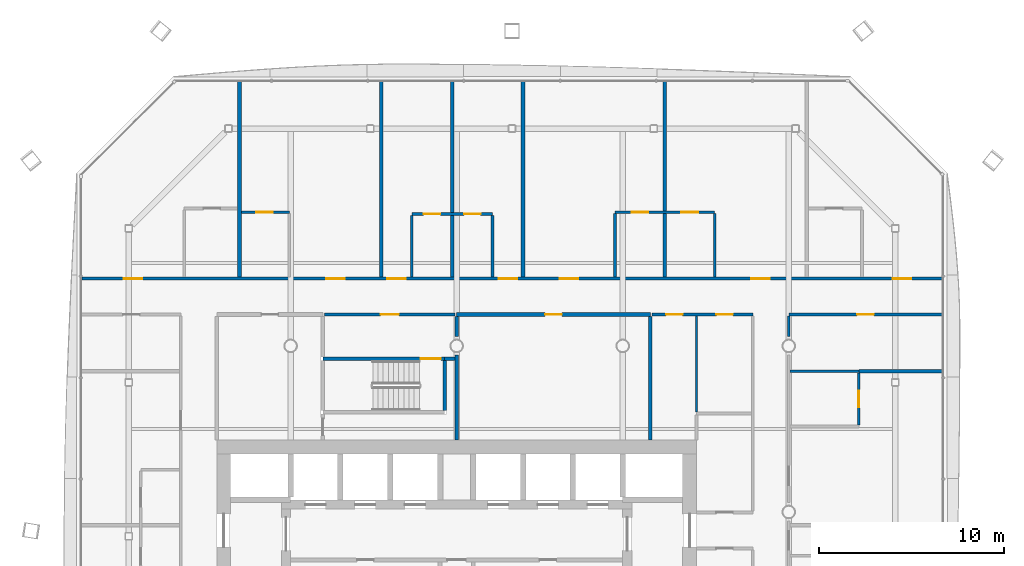
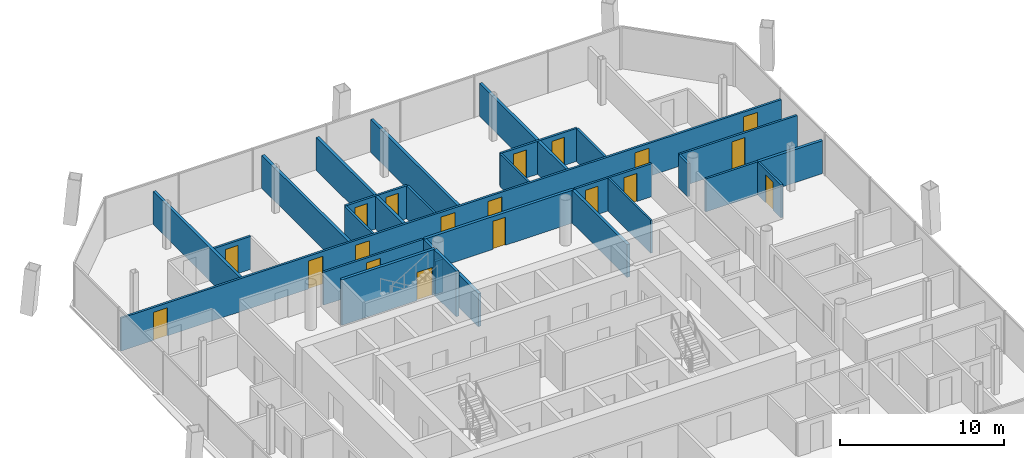
# One storey, part 15 of 21: 28 walls, 19 doors, 19 openings.
"""IFC4 building model written with IfcOpenShell, lengths in metres."""

from ifc_helpers import new_model, si_unit, direction, frame, frame_2d, origin, place, context, subcontext, project, spatial, rectangle, extrude, material, layer, layer_set, type_object, element, fill, save


model = new_model("IFC4")

# Units and contexts
model_context = context("Model", 3, precision=1e-05, world=origin(), true_north=direction((0.0, 1.0)))
body_context = subcontext(model_context, "Body", "Model", "MODEL_VIEW")
ifc_project = project(units=[si_unit("LENGTHUNIT", "METRE"), si_unit("AREAUNIT", "SQUARE_METRE"), si_unit("VOLUMEUNIT", "CUBIC_METRE"), si_unit("PLANEANGLEUNIT", "RADIAN"), si_unit("MASSUNIT", "GRAM", prefix="KILO")], contexts=[model_context])

# Site, building, storey
site_placement = place(None, origin())
site = spatial("IfcSite", under=ifc_project, at=site_placement, CompositionType="ELEMENT")
building_placement = place(site_placement, origin())
building = spatial("IfcBuilding", under=site, at=building_placement, Name="Tskaro Facet Tower", CompositionType="ELEMENT")
storey_placement = place(building_placement, frame((0.0, 0.0, 128.300048828125)))
storey = spatial("IfcBuildingStorey", under=building, at=storey_placement, Name="L30", CompositionType="ELEMENT", Elevation=128.300048828125)

# Walls
ifc_material_1 = material(Name="Gypsum board on steel studs", Category="steel")
ifc_layer_1 = layer(ifc_material_1, 0.125, Name="Gypsum board on steel studs")
ifc_layer_set_1 = layer_set([ifc_layer_1], Name="Gypsum board on steel studs")
wall_type_1 = type_object("IfcWallType", Name="PART", PredefinedType="PARTITIONING", material=ifc_layer_set_1)
wall_1_placement = place(storey_placement, frame((13.0, 5.412109375, 0.0), z_axis=(0.0, 0.0, 1.0), x_axis=(0.0, 1.0, 0.0)))
element("IfcWall", 1, at=wall_1_placement, inside=storey, type_object=wall_type_1, Name="Partition W101", PredefinedType="PARTITIONING", context=body_context, shape_type="SweptSolid", body=[
    extrude(rectangle(XDim=5.212890625, YDim=0.125, at=frame_2d((2.6064453125, 0.0))), origin(), (0.0, 0.0, 1.0), 2.4599609375),
])
ifc_layer_2 = layer(ifc_material_1, 0.14990234375, Name="Gypsum board on steel studs")
ifc_layer_set_2 = layer_set([ifc_layer_2], Name="Gypsum board on steel studs")
wall_type_2 = type_object("IfcWallType", Name="PART-CORR", PredefinedType="PARTITIONING", material=ifc_layer_set_2)
wall_2_placement = place(storey_placement, frame((18.074951171875, 7.6259765625, 0.0), z_axis=(0.0, 0.0, 1.0), x_axis=(1.0, 0.0, 0.0)))
element("IfcWall", 2, at=wall_2_placement, inside=storey, type_object=wall_type_2, Name="Corridor wall W039", PredefinedType="PARTITIONING", context=body_context, shape_type="SweptSolid", body=[
    extrude(rectangle(XDim=3.72509765625, YDim=0.14990234375, at=frame_2d((1.862548828125, 0.0))), origin(), (0.0, 0.0, 1.0), 2.4599609375),
])

# Wall, opening, door
wall_3_placement = place(storey_placement, frame((-0.10009765625, 10.699951171875, 0.0), z_axis=(0.0, 0.0, 1.0), x_axis=(-1.0, 0.0, 0.0)))
wall_3 = element("IfcWall", 3, at=wall_3_placement, inside=storey, type_object=wall_type_2, Name="Corridor wall W045", PredefinedType="PARTITIONING", context=body_context, shape_type="SweptSolid", body=[
    extrude(rectangle(XDim=7.0498046875, YDim=0.14990234375, at=frame_2d((3.52490234375, 0.0))), origin(), (0.0, 0.0, 1.0), 2.4599609375),
])
opening_1_placement = place(wall_3_placement, frame((3.02490234375, 0.0, 0.0)))
opening_1 = element("IfcOpeningElement", 4, at=opening_1_placement, cuts=wall_3, Name="Opening T8-D45", PredefinedType="OPENING", context=body_context, shape_type="SweptSolid", body=[
    extrude(rectangle(XDim=1.0, YDim=2.10009765625, at=frame_2d((0.5, 1.050048828125))), frame((0.0, 0.0849609375, 0.0), z_axis=(0.0, -1.0, 0.0), x_axis=(1.0, 0.0, 0.0)), (0.0, 0.0, 1.0), 0.169921875),
])
ifc_material_2 = material(Name="Steel", Category="steel")
door_type_1 = type_object("IfcDoorType", Name="D-LOBBY", OperationType="NOTDEFINED", PredefinedType="DOOR", material=ifc_material_2)
door_1_placement = place(opening_1_placement, origin())
door_1 = element("IfcDoor", 5, at=door_1_placement, inside=storey, type_object=door_type_1, Name="Stair lobby door", OperationType="SINGLE_SWING_RIGHT", OverallHeight=2.10009765625, OverallWidth=1.0, PredefinedType="DOOR", context=body_context, shape_type="SweptSolid", body=[
    extrude(rectangle(XDim=1.0, YDim=2.10009765625, at=frame_2d((0.5, 1.050048828125))), frame((0.0, 0.02490234375, 0.0), z_axis=(0.0, -1.0, 0.0), x_axis=(1.0, 0.0, 0.0)), (0.0, 0.0, 1.0), 0.050048828125),
])
fill(opening_1, door_1)

# Wall, openings, doors
wall_4_placement = place(storey_placement, frame((16.050048828125, 10.699951171875, 0.0), z_axis=(0.0, 0.0, 1.0), x_axis=(-1.0, 0.0, 0.0)))
wall_4 = element("IfcWall", 6, at=wall_4_placement, inside=storey, type_object=wall_type_2, Name="Corridor wall W047", PredefinedType="PARTITIONING", context=body_context, shape_type="SweptSolid", body=[
    extrude(rectangle(XDim=5.449951171875, YDim=0.14990234375, at=frame_2d((2.72509765625, 0.0))), origin(), (0.0, 0.0, 1.0), 2.4599609375),
])
opening_2_placement = place(wall_4_placement, frame((3.800048828125, 0.0, 0.0)))
opening_2 = element("IfcOpeningElement", 7, at=opening_2_placement, cuts=wall_4, Name="Opening T8-D47", PredefinedType="OPENING", context=body_context, shape_type="SweptSolid", body=[
    extrude(rectangle(XDim=0.89990234375, YDim=2.10009765625, at=frame_2d((0.449951171875, 1.050048828125))), frame((0.0, 0.0849609375, 0.0), z_axis=(0.0, -1.0, 0.0), x_axis=(1.0, 0.0, 0.0)), (0.0, 0.0, 1.0), 0.169921875),
])
opening_3_placement = place(wall_4_placement, frame((1.074951171875, 0.0, 0.0)))
opening_3 = element("IfcOpeningElement", 8, at=opening_3_placement, cuts=wall_4, Name="Opening T8-D48", PredefinedType="OPENING", context=body_context, shape_type="SweptSolid", body=[
    extrude(rectangle(XDim=0.89990234375, YDim=2.10009765625, at=frame_2d((0.449951171875, 1.050048828125))), frame((0.0, 0.0849609375, 0.0), z_axis=(0.0, -1.0, 0.0), x_axis=(1.0, 0.0, 0.0)), (0.0, 0.0, 1.0), 0.169921875),
])
ifc_material_3 = material(Name="Timber", Category="wood")
door_type_2 = type_object("IfcDoorType", Name="D-ROOM", OperationType="NOTDEFINED", PredefinedType="DOOR", material=ifc_material_3)
door_2_placement = place(opening_2_placement, origin())
door_2 = element("IfcDoor", 9, at=door_2_placement, inside=storey, type_object=door_type_2, Name="Door T8-D47", OperationType="SINGLE_SWING_RIGHT", OverallHeight=2.10009765625, OverallWidth=0.89990234375, PredefinedType="DOOR", context=body_context, shape_type="SweptSolid", body=[
    extrude(rectangle(XDim=0.89990234375, YDim=2.10009765625, at=frame_2d((0.449951171875, 1.050048828125))), frame((0.0, 0.02490234375, 0.0), z_axis=(0.0, -1.0, 0.0), x_axis=(1.0, 0.0, 0.0)), (0.0, 0.0, 1.0), 0.050048828125),
])
fill(opening_2, door_2)
door_3_placement = place(opening_3_placement, origin())
door_3 = element("IfcDoor", 10, at=door_3_placement, inside=storey, type_object=door_type_2, Name="Door T8-D48", OperationType="SINGLE_SWING_RIGHT", OverallHeight=2.10009765625, OverallWidth=0.89990234375, PredefinedType="DOOR", context=body_context, shape_type="SweptSolid", body=[
    extrude(rectangle(XDim=0.89990234375, YDim=2.10009765625, at=frame_2d((0.449951171875, 1.050048828125))), frame((0.0, 0.02490234375, 0.0), z_axis=(0.0, -1.0, 0.0), x_axis=(1.0, 0.0, 0.0)), (0.0, 0.0, 1.0), 0.050048828125),
])
fill(opening_3, door_3)

# Wall, opening, door
wall_5_placement = place(storey_placement, frame((26.31689453125, 10.699951171875, 0.0), z_axis=(0.0, 0.0, 1.0), x_axis=(-1.0, 0.0, 0.0)))
wall_5 = element("IfcWall", 11, at=wall_5_placement, inside=storey, type_object=wall_type_2, Name="Corridor wall W048", PredefinedType="PARTITIONING", context=body_context, shape_type="SweptSolid", body=[
    extrude(rectangle(XDim=8.31689453125, YDim=0.14990234375, at=frame_2d((4.158447265625, 0.0))), origin(), (0.0, 0.0, 1.0), 2.4599609375),
])
opening_4_placement = place(wall_5_placement, frame((3.70849609375, 0.0, 0.0)))
opening_4 = element("IfcOpeningElement", 12, at=opening_4_placement, cuts=wall_5, Name="Opening T8-D49", PredefinedType="OPENING", context=body_context, shape_type="SweptSolid", body=[
    extrude(rectangle(XDim=0.89990234375, YDim=2.10009765625, at=frame_2d((0.449951171875, 1.050048828125))), frame((0.0, 0.0849609375, 0.0), z_axis=(0.0, -1.0, 0.0), x_axis=(1.0, 0.0, 0.0)), (0.0, 0.0, 1.0), 0.169921875),
])
door_4_placement = place(opening_4_placement, origin())
door_4 = element("IfcDoor", 13, at=door_4_placement, inside=storey, type_object=door_type_2, Name="Door T8-D49", OperationType="SINGLE_SWING_RIGHT", OverallHeight=2.10009765625, OverallWidth=0.89990234375, PredefinedType="DOOR", context=body_context, shape_type="SweptSolid", body=[
    extrude(rectangle(XDim=0.89990234375, YDim=2.10009765625, at=frame_2d((0.449951171875, 1.050048828125))), frame((0.0, 0.02490234375, 0.0), z_axis=(0.0, -1.0, 0.0), x_axis=(1.0, 0.0, 0.0)), (0.0, 0.0, 1.0), 0.050048828125),
])
fill(opening_4, door_4)

# Wall, openings, doors
wall_6_placement = place(storey_placement, frame((-20.31689453125, 12.64990234375, 0.0), z_axis=(0.0, 0.0, 1.0), x_axis=(1.0, 0.0, 0.0)))
wall_6 = element("IfcWall", 14, at=wall_6_placement, inside=storey, type_object=wall_type_2, Name="Corridor wall W049", PredefinedType="PARTITIONING", context=body_context, shape_type="SweptSolid", body=[
    extrude(rectangle(XDim=46.6337890625, YDim=0.14990234375, at=frame_2d((23.31689453125, 0.0))), origin(), (0.0, 0.0, 1.0), 2.4599609375),
])
opening_5_placement = place(wall_6_placement, frame((2.2744140625, 0.0, 0.0)))
opening_5 = element("IfcOpeningElement", 15, at=opening_5_placement, cuts=wall_6, Name="Opening T8-D50", PredefinedType="OPENING", context=body_context, shape_type="SweptSolid", body=[
    extrude(rectangle(XDim=1.0, YDim=2.10009765625, at=frame_2d((0.5, 1.050048828125))), frame((0.0, 0.0849609375, 0.0), z_axis=(0.0, -1.0, 0.0), x_axis=(1.0, 0.0, 0.0)), (0.0, 0.0, 1.0), 0.169921875),
])
opening_6_placement = place(wall_6_placement, frame((13.240966796875, 0.0, 0.0)))
opening_6 = element("IfcOpeningElement", 16, at=opening_6_placement, cuts=wall_6, Name="Opening T8-D51", PredefinedType="OPENING", context=body_context, shape_type="SweptSolid", body=[
    extrude(rectangle(XDim=1.0, YDim=2.10009765625, at=frame_2d((0.5, 1.050048828125))), frame((0.0, 0.0849609375, 0.0), z_axis=(0.0, -1.0, 0.0), x_axis=(1.0, 0.0, 0.0)), (0.0, 0.0, 1.0), 0.169921875),
])
opening_7_placement = place(wall_6_placement, frame((16.55908203125, 0.0, 0.0)))
opening_7 = element("IfcOpeningElement", 17, at=opening_7_placement, cuts=wall_6, Name="Opening T8-D52", PredefinedType="OPENING", context=body_context, shape_type="SweptSolid", body=[
    extrude(rectangle(XDim=1.0, YDim=2.10009765625, at=frame_2d((0.5, 1.050048828125))), frame((0.0, 0.0849609375, 0.0), z_axis=(0.0, -1.0, 0.0), x_axis=(1.0, 0.0, 0.0)), (0.0, 0.0, 1.0), 0.169921875),
])
opening_8_placement = place(wall_6_placement, frame((22.591064453125, 0.0, 0.0)))
opening_8 = element("IfcOpeningElement", 18, at=opening_8_placement, cuts=wall_6, Name="Opening T8-D53", PredefinedType="OPENING", context=body_context, shape_type="SweptSolid", body=[
    extrude(rectangle(XDim=1.0, YDim=2.10009765625, at=frame_2d((0.5, 1.050048828125))), frame((0.0, 0.0849609375, 0.0), z_axis=(0.0, -1.0, 0.0), x_axis=(1.0, 0.0, 0.0)), (0.0, 0.0, 1.0), 0.169921875),
])
opening_9_placement = place(wall_6_placement, frame((25.908935546875, 0.0, 0.0)))
opening_9 = element("IfcOpeningElement", 19, at=opening_9_placement, cuts=wall_6, Name="Opening T8-D54", PredefinedType="OPENING", context=body_context, shape_type="SweptSolid", body=[
    extrude(rectangle(XDim=1.0, YDim=2.10009765625, at=frame_2d((0.5, 1.050048828125))), frame((0.0, 0.0849609375, 0.0), z_axis=(0.0, -1.0, 0.0), x_axis=(1.0, 0.0, 0.0)), (0.0, 0.0, 1.0), 0.169921875),
])
opening_10_placement = place(wall_6_placement, frame((36.29296875, 0.0, 0.0)))
opening_10 = element("IfcOpeningElement", 20, at=opening_10_placement, cuts=wall_6, Name="Opening T8-D55", PredefinedType="OPENING", context=body_context, shape_type="SweptSolid", body=[
    extrude(rectangle(XDim=1.0, YDim=2.10009765625, at=frame_2d((0.5, 1.050048828125))), frame((0.0, 0.0849609375, 0.0), z_axis=(0.0, -1.0, 0.0), x_axis=(1.0, 0.0, 0.0)), (0.0, 0.0, 1.0), 0.169921875),
])
opening_11_placement = place(wall_6_placement, frame((43.95947265625, 0.0, 0.0)))
opening_11 = element("IfcOpeningElement", 21, at=opening_11_placement, cuts=wall_6, Name="Opening T8-D56", PredefinedType="OPENING", context=body_context, shape_type="SweptSolid", body=[
    extrude(rectangle(XDim=1.0, YDim=2.10009765625, at=frame_2d((0.5, 1.050048828125))), frame((0.0, 0.0849609375, 0.0), z_axis=(0.0, -1.0, 0.0), x_axis=(1.0, 0.0, 0.0)), (0.0, 0.0, 1.0), 0.169921875),
])
door_type_3 = type_object("IfcDoorType", Name="D-ENTRY", OperationType="NOTDEFINED", PredefinedType="DOOR", material=ifc_material_3)
door_5_placement = place(opening_5_placement, origin())
door_5 = element("IfcDoor", 22, at=door_5_placement, inside=storey, type_object=door_type_3, Name="Door T8-D50", OperationType="SINGLE_SWING_RIGHT", OverallHeight=2.10009765625, OverallWidth=1.0, PredefinedType="DOOR", context=body_context, shape_type="SweptSolid", body=[
    extrude(rectangle(XDim=1.0, YDim=2.10009765625, at=frame_2d((0.5, 1.050048828125))), frame((0.0, 0.02490234375, 0.0), z_axis=(0.0, -1.0, 0.0), x_axis=(1.0, 0.0, 0.0)), (0.0, 0.0, 1.0), 0.050048828125),
])
fill(opening_5, door_5)
door_6_placement = place(opening_6_placement, origin())
door_6 = element("IfcDoor", 23, at=door_6_placement, inside=storey, type_object=door_type_3, Name="Door T8-D51", OperationType="SINGLE_SWING_LEFT", OverallHeight=2.10009765625, OverallWidth=1.0, PredefinedType="DOOR", context=body_context, shape_type="SweptSolid", body=[
    extrude(rectangle(XDim=1.0, YDim=2.10009765625, at=frame_2d((0.5, 1.050048828125))), frame((0.0, 0.02490234375, 0.0), z_axis=(0.0, -1.0, 0.0), x_axis=(1.0, 0.0, 0.0)), (0.0, 0.0, 1.0), 0.050048828125),
])
fill(opening_6, door_6)
door_7_placement = place(opening_7_placement, origin())
door_7 = element("IfcDoor", 24, at=door_7_placement, inside=storey, type_object=door_type_3, Name="Door T8-D52", OperationType="SINGLE_SWING_LEFT", OverallHeight=2.10009765625, OverallWidth=1.0, PredefinedType="DOOR", context=body_context, shape_type="SweptSolid", body=[
    extrude(rectangle(XDim=1.0, YDim=2.10009765625, at=frame_2d((0.5, 1.050048828125))), frame((0.0, 0.02490234375, 0.0), z_axis=(0.0, -1.0, 0.0), x_axis=(1.0, 0.0, 0.0)), (0.0, 0.0, 1.0), 0.050048828125),
])
fill(opening_7, door_7)
door_8_placement = place(opening_8_placement, origin())
door_8 = element("IfcDoor", 25, at=door_8_placement, inside=storey, type_object=door_type_3, Name="Door T8-D53", OperationType="SINGLE_SWING_RIGHT", OverallHeight=2.10009765625, OverallWidth=1.0, PredefinedType="DOOR", context=body_context, shape_type="SweptSolid", body=[
    extrude(rectangle(XDim=1.0, YDim=2.10009765625, at=frame_2d((0.5, 1.050048828125))), frame((0.0, 0.02490234375, 0.0), z_axis=(0.0, -1.0, 0.0), x_axis=(1.0, 0.0, 0.0)), (0.0, 0.0, 1.0), 0.050048828125),
])
fill(opening_8, door_8)
door_9_placement = place(opening_9_placement, origin())
door_9 = element("IfcDoor", 26, at=door_9_placement, inside=storey, type_object=door_type_3, Name="Door T8-D54", OperationType="SINGLE_SWING_RIGHT", OverallHeight=2.10009765625, OverallWidth=1.0, PredefinedType="DOOR", context=body_context, shape_type="SweptSolid", body=[
    extrude(rectangle(XDim=1.0, YDim=2.10009765625, at=frame_2d((0.5, 1.050048828125))), frame((0.0, 0.02490234375, 0.0), z_axis=(0.0, -1.0, 0.0), x_axis=(1.0, 0.0, 0.0)), (0.0, 0.0, 1.0), 0.050048828125),
])
fill(opening_9, door_9)
door_10_placement = place(opening_10_placement, origin())
door_10 = element("IfcDoor", 27, at=door_10_placement, inside=storey, type_object=door_type_3, Name="Door T8-D55", OperationType="SINGLE_SWING_LEFT", OverallHeight=2.10009765625, OverallWidth=1.0, PredefinedType="DOOR", context=body_context, shape_type="SweptSolid", body=[
    extrude(rectangle(XDim=1.0, YDim=2.10009765625, at=frame_2d((0.5, 1.050048828125))), frame((0.0, 0.02490234375, 0.0), z_axis=(0.0, -1.0, 0.0), x_axis=(1.0, 0.0, 0.0)), (0.0, 0.0, 1.0), 0.050048828125),
])
fill(opening_10, door_10)
door_11_placement = place(opening_11_placement, origin())
door_11 = element("IfcDoor", 28, at=door_11_placement, inside=storey, type_object=door_type_3, Name="Door T8-D56", OperationType="SINGLE_SWING_RIGHT", OverallHeight=2.10009765625, OverallWidth=1.0, PredefinedType="DOOR", context=body_context, shape_type="SweptSolid", body=[
    extrude(rectangle(XDim=1.0, YDim=2.10009765625, at=frame_2d((0.5, 1.050048828125))), frame((0.0, 0.02490234375, 0.0), z_axis=(0.0, -1.0, 0.0), x_axis=(1.0, 0.0, 0.0)), (0.0, 0.0, 1.0), 0.050048828125),
])
fill(opening_11, door_11)

wall_7_placement = place(storey_placement, frame((1.947998046875, 16.14990234375, 0.0), z_axis=(0.0, 0.0, 1.0), x_axis=(-1.0, 0.0, 0.0)))
wall_7 = element("IfcWall", 29, at=wall_7_placement, inside=storey, type_object=wall_type_2, Name="Corridor wall W050", PredefinedType="PARTITIONING", context=body_context, shape_type="SweptSolid", body=[
    extrude(rectangle(XDim=4.3798828125, YDim=0.14990234375, at=frame_2d((2.18994140625, 0.0))), origin(), (0.0, 0.0, 1.0), 2.4599609375),
])
opening_12_placement = place(wall_7_placement, frame((2.8349609375, 0.0, 0.0)))
opening_12 = element("IfcOpeningElement", 30, at=opening_12_placement, cuts=wall_7, Name="Opening T8-D57", PredefinedType="OPENING", context=body_context, shape_type="SweptSolid", body=[
    extrude(rectangle(XDim=0.89990234375, YDim=2.10009765625, at=frame_2d((0.449951171875, 1.050048828125))), frame((0.0, 0.0849609375, 0.0), z_axis=(0.0, -1.0, 0.0), x_axis=(1.0, 0.0, 0.0)), (0.0, 0.0, 1.0), 0.169921875),
])
opening_13_placement = place(wall_7_placement, frame((0.64501953125, 0.0, 0.0)))
opening_13 = element("IfcOpeningElement", 31, at=opening_13_placement, cuts=wall_7, Name="Opening T8-D58", PredefinedType="OPENING", context=body_context, shape_type="SweptSolid", body=[
    extrude(rectangle(XDim=0.89990234375, YDim=2.10009765625, at=frame_2d((0.449951171875, 1.050048828125))), frame((0.0, 0.0849609375, 0.0), z_axis=(0.0, -1.0, 0.0), x_axis=(1.0, 0.0, 0.0)), (0.0, 0.0, 1.0), 0.169921875),
])
door_12_placement = place(opening_12_placement, origin())
door_12 = element("IfcDoor", 32, at=door_12_placement, inside=storey, type_object=door_type_2, Name="Door T8-D57", OperationType="SINGLE_SWING_RIGHT", OverallHeight=2.10009765625, OverallWidth=0.89990234375, PredefinedType="DOOR", context=body_context, shape_type="SweptSolid", body=[
    extrude(rectangle(XDim=0.89990234375, YDim=2.10009765625, at=frame_2d((0.449951171875, 1.050048828125))), frame((0.0, 0.02490234375, 0.0), z_axis=(0.0, -1.0, 0.0), x_axis=(1.0, 0.0, 0.0)), (0.0, 0.0, 1.0), 0.050048828125),
])
fill(opening_12, door_12)
door_13_placement = place(opening_13_placement, origin())
door_13 = element("IfcDoor", 33, at=door_13_placement, inside=storey, type_object=door_type_2, Name="Door T8-D58", OperationType="SINGLE_SWING_RIGHT", OverallHeight=2.10009765625, OverallWidth=0.89990234375, PredefinedType="DOOR", context=body_context, shape_type="SweptSolid", body=[
    extrude(rectangle(XDim=0.89990234375, YDim=2.10009765625, at=frame_2d((0.449951171875, 1.050048828125))), frame((0.0, 0.02490234375, 0.0), z_axis=(0.0, -1.0, 0.0), x_axis=(1.0, 0.0, 0.0)), (0.0, 0.0, 1.0), 0.050048828125),
])
fill(opening_13, door_13)

# Wall, opening, door
wall_8_placement = place(storey_placement, frame((-9.068115234375, 16.25, 0.0), z_axis=(0.0, 0.0, 1.0), x_axis=(-1.0, 0.0, 0.0)))
wall_8 = element("IfcWall", 34, at=wall_8_placement, inside=storey, type_object=wall_type_2, Name="Corridor wall W051", PredefinedType="PARTITIONING", context=body_context, shape_type="SweptSolid", body=[
    extrude(rectangle(XDim=2.599853515625, YDim=0.14990234375, at=frame_2d((1.2998046875, 0.0))), origin(), (0.0, 0.0, 1.0), 2.4599609375),
])
opening_14_placement = place(wall_8_placement, frame((0.89990234375, 0.0, 0.0)))
opening_14 = element("IfcOpeningElement", 35, at=opening_14_placement, cuts=wall_8, Name="Opening T8-D59", PredefinedType="OPENING", context=body_context, shape_type="SweptSolid", body=[
    extrude(rectangle(XDim=0.89990234375, YDim=2.10009765625, at=frame_2d((0.449951171875, 1.050048828125))), frame((0.0, 0.0849609375, 0.0), z_axis=(0.0, -1.0, 0.0), x_axis=(1.0, 0.0, 0.0)), (0.0, 0.0, 1.0), 0.169921875),
])
door_14_placement = place(opening_14_placement, origin())
door_14 = element("IfcDoor", 36, at=door_14_placement, inside=storey, type_object=door_type_2, Name="Door T8-D59", OperationType="SINGLE_SWING_RIGHT", OverallHeight=2.10009765625, OverallWidth=0.89990234375, PredefinedType="DOOR", context=body_context, shape_type="SweptSolid", body=[
    extrude(rectangle(XDim=0.89990234375, YDim=2.10009765625, at=frame_2d((0.449951171875, 1.050048828125))), frame((0.0, 0.02490234375, 0.0), z_axis=(0.0, -1.0, 0.0), x_axis=(1.0, 0.0, 0.0)), (0.0, 0.0, 1.0), 0.050048828125),
])
fill(opening_14, door_14)

# Wall, openings, doors
wall_9_placement = place(storey_placement, frame((13.98388671875, 16.25, 0.0), z_axis=(0.0, 0.0, 1.0), x_axis=(-1.0, 0.0, 0.0)))
wall_9 = element("IfcWall", 37, at=wall_9_placement, inside=storey, type_object=wall_type_2, Name="Corridor wall W052", PredefinedType="PARTITIONING", context=body_context, shape_type="SweptSolid", body=[
    extrude(rectangle(XDim=5.39990234375, YDim=0.14990234375, at=frame_2d((2.699951171875, 0.0))), origin(), (0.0, 0.0, 1.0), 2.4599609375),
])
opening_15_placement = place(wall_9_placement, frame((3.60009765625, 0.0, 0.0)))
opening_15 = element("IfcOpeningElement", 38, at=opening_15_placement, cuts=wall_9, Name="Opening T8-D60", PredefinedType="OPENING", context=body_context, shape_type="SweptSolid", body=[
    extrude(rectangle(XDim=0.89990234375, YDim=2.10009765625, at=frame_2d((0.449951171875, 1.050048828125))), frame((0.0, 0.0849609375, 0.0), z_axis=(0.0, -1.0, 0.0), x_axis=(1.0, 0.0, 0.0)), (0.0, 0.0, 1.0), 0.169921875),
])
opening_16_placement = place(wall_9_placement, frame((0.89990234375, 0.0, 0.0)))
opening_16 = element("IfcOpeningElement", 39, at=opening_16_placement, cuts=wall_9, Name="Opening T8-D61", PredefinedType="OPENING", context=body_context, shape_type="SweptSolid", body=[
    extrude(rectangle(XDim=0.89990234375, YDim=2.10009765625, at=frame_2d((0.449951171875, 1.050048828125))), frame((0.0, 0.0849609375, 0.0), z_axis=(0.0, -1.0, 0.0), x_axis=(1.0, 0.0, 0.0)), (0.0, 0.0, 1.0), 0.169921875),
])
door_15_placement = place(opening_15_placement, origin())
door_15 = element("IfcDoor", 40, at=door_15_placement, inside=storey, type_object=door_type_2, Name="Door T8-D60", OperationType="SINGLE_SWING_RIGHT", OverallHeight=2.10009765625, OverallWidth=0.89990234375, PredefinedType="DOOR", context=body_context, shape_type="SweptSolid", body=[
    extrude(rectangle(XDim=0.89990234375, YDim=2.10009765625, at=frame_2d((0.449951171875, 1.050048828125))), frame((0.0, 0.02490234375, 0.0), z_axis=(0.0, -1.0, 0.0), x_axis=(1.0, 0.0, 0.0)), (0.0, 0.0, 1.0), 0.050048828125),
])
fill(opening_15, door_15)
door_16_placement = place(opening_16_placement, origin())
door_16 = element("IfcDoor", 41, at=door_16_placement, inside=storey, type_object=door_type_2, Name="Door T8-D61", OperationType="SINGLE_SWING_RIGHT", OverallHeight=2.10009765625, OverallWidth=0.89990234375, PredefinedType="DOOR", context=body_context, shape_type="SweptSolid", body=[
    extrude(rectangle(XDim=0.89990234375, YDim=2.10009765625, at=frame_2d((0.449951171875, 1.050048828125))), frame((0.0, 0.02490234375, 0.0), z_axis=(0.0, -1.0, 0.0), x_axis=(1.0, 0.0, 0.0)), (0.0, 0.0, 1.0), 0.050048828125),
])
fill(opening_16, door_16)

# Walls
for number, where, z_axis, x_axis, name in (
    (42, (-2.431884765625, 12.72509765625, 0.0), (0.0, 0.0, 1.0), (0.0, 1.0, 0.0), "Corridor wall W077"),
    (43, (1.947998046875, 12.72509765625, 0.0), (0.0, 0.0, 1.0), (0.0, 1.0, 0.0), "Corridor wall W087"),
):
    element("IfcWall", number, at=place(storey_placement, frame(where, z_axis=z_axis, x_axis=x_axis)), inside=storey, type_object=wall_type_2, Name=name, PredefinedType="PARTITIONING", context=body_context, shape_type="SweptSolid", body=[
        extrude(rectangle(XDim=3.349853515625, YDim=0.14990234375, at=frame_2d((1.6748046875, 0.0))), origin(), (0.0, 0.0, 1.0), 2.4599609375),
    ])
for number, where, z_axis, x_axis, name in (
    (44, (8.583984375, 12.72509765625, 0.0), (0.0, 0.0, 1.0), (0.0, 1.0, 0.0), "Corridor wall W094"),
    (45, (13.98388671875, 12.72509765625, 0.0), (0.0, 0.0, 1.0), (0.0, 1.0, 0.0), "Corridor wall W102"),
):
    element("IfcWall", number, at=place(storey_placement, frame(where, z_axis=z_axis, x_axis=x_axis)), inside=storey, type_object=wall_type_2, Name=name, PredefinedType="PARTITIONING", context=body_context, shape_type="SweptSolid", body=[
        extrude(rectangle(XDim=3.449951171875, YDim=0.14990234375, at=frame_2d((1.72509765625, 0.0))), origin(), (0.0, 0.0, 1.0), 2.4599609375),
    ])
wall_10_placement = place(storey_placement, frame((18.0, 9.5, 0.0), z_axis=(0.0, 0.0, 1.0), x_axis=(0.0, 1.0, 0.0)))
element("IfcWall", 46, at=wall_10_placement, inside=storey, type_object=wall_type_2, Name="Corridor wall W110", PredefinedType="PARTITIONING", context=body_context, shape_type="SweptSolid", body=[
    extrude(rectangle(XDim=1.125, YDim=0.14990234375, at=frame_2d((0.5625, 0.0))), origin(), (0.0, 0.0, 1.0), 2.4599609375),
])

# Wall, opening, door
wall_11_placement = place(storey_placement, frame((21.800048828125, 4.700927734375, 0.0), z_axis=(0.0, 0.0, 1.0), x_axis=(0.0, 1.0, 0.0)))
wall_11 = element("IfcWall", 47, at=wall_11_placement, inside=storey, type_object=wall_type_2, Name="Corridor wall W115", PredefinedType="PARTITIONING", context=body_context, shape_type="SweptSolid", body=[
    extrude(rectangle(XDim=2.824951171875, YDim=0.14990234375, at=frame_2d((1.41259765625, 0.0))), origin(), (0.0, 0.0, 1.0), 2.4599609375),
])
opening_17_placement = place(wall_11_placement, frame((0.97509765625, 0.0, 0.0)))
opening_17 = element("IfcOpeningElement", 48, at=opening_17_placement, cuts=wall_11, Name="Opening T8-D42", PredefinedType="OPENING", context=body_context, shape_type="SweptSolid", body=[
    extrude(rectangle(XDim=0.89990234375, YDim=2.10009765625, at=frame_2d((0.449951171875, 1.050048828125))), frame((0.0, 0.0849609375, 0.0), z_axis=(0.0, -1.0, 0.0), x_axis=(1.0, 0.0, 0.0)), (0.0, 0.0, 1.0), 0.169921875),
])
door_17_placement = place(opening_17_placement, origin())
door_17 = element("IfcDoor", 49, at=door_17_placement, inside=storey, type_object=door_type_2, Name="Door T8-D42", OperationType="SINGLE_SWING_LEFT", OverallHeight=2.10009765625, OverallWidth=0.89990234375, PredefinedType="DOOR", context=body_context, shape_type="SweptSolid", body=[
    extrude(rectangle(XDim=0.89990234375, YDim=2.10009765625, at=frame_2d((0.449951171875, 1.050048828125))), frame((0.0, 0.02490234375, 0.0), z_axis=(0.0, -1.0, 0.0), x_axis=(1.0, 0.0, 0.0)), (0.0, 0.0, 1.0), 0.050048828125),
])
fill(opening_17, door_17)

# Walls
ifc_layer_3 = layer(ifc_material_1, 0.199951171875, Name="Gypsum board on steel studs")
ifc_layer_set_3 = layer_set([ifc_layer_3], Name="Gypsum board on steel studs")
wall_type_3 = type_object("IfcWallType", Name="PART-DEMISING", PredefinedType="PARTITIONING", material=ifc_layer_set_3)
wall_12_placement = place(storey_placement, frame((21.800048828125, 7.6259765625, 0.0), z_axis=(0.0, 0.0, 1.0), x_axis=(1.0, 0.0, 0.0)))
element("IfcWall", 50, at=wall_12_placement, inside=storey, type_object=wall_type_3, Name="Guest room wall W040", PredefinedType="PARTITIONING", context=body_context, shape_type="SweptSolid", body=[
    extrude(rectangle(XDim=4.516845703125, YDim=0.199951171875, at=frame_2d((2.25830078125, 0.0))), origin(), (0.0, 0.0, 1.0), 2.4599609375),
])
for number, where, z_axis, x_axis, name in (
    (51, (-11.76806640625, 12.72509765625, 0.0), (0.0, 0.0, 1.0), (0.0, 1.0, 0.0), "Guest room wall W062"),
    (52, (-4.083984375, 12.72509765625, 0.0), (0.0, 0.0, 1.0), (0.0, 1.0, 0.0), "Guest room wall W073"),
    (53, (-0.241943359375, 12.72509765625, 0.0), (0.0, 0.0, 1.0), (0.0, 1.0, 0.0), "Guest room wall W081"),
    (54, (3.60009765625, 12.72509765625, 0.0), (0.0, 0.0, 1.0), (0.0, 1.0, 0.0), "Guest room wall W091"),
    (55, (11.283935546875, 12.72509765625, 0.0), (0.0, 0.0, 1.0), (0.0, 1.0, 0.0), "Guest room wall W098"),
):
    element("IfcWall", number, at=place(storey_placement, frame(where, z_axis=z_axis, x_axis=x_axis)), inside=storey, type_object=wall_type_3, Name=name, PredefinedType="PARTITIONING", context=body_context, shape_type="SweptSolid", body=[
        extrude(rectangle(XDim=10.591796875, YDim=0.199951171875, at=frame_2d((5.2958984375, 0.0))), origin(), (0.0, 0.0, 1.0), 2.4599609375),
    ])

# Wall, opening, door
ifc_material_4 = material(Name="Concrete C60/75", Category="concrete")
ifc_layer_4 = layer(ifc_material_4, 0.199951171875, Name="Concrete C60/75")
ifc_layer_set_4 = layer_set([ifc_layer_4], Name="Concrete C60/75")
wall_type_4 = type_object("IfcWallType", Name="STAIR-WALL", PredefinedType="SHEAR", material=ifc_layer_set_4)
wall_13_placement = place(storey_placement, frame((-0.64990234375, 8.300048828125, 0.0), z_axis=(0.0, 0.0, 1.0), x_axis=(-1.0, 0.0, 0.0)))
wall_13 = element("IfcWall", 56, at=wall_13_placement, inside=storey, type_object=wall_type_4, Name="Stair wall W041", PredefinedType="SHEAR", context=body_context, shape_type="SweptSolid", body=[
    extrude(rectangle(XDim=6.60009765625, YDim=0.199951171875, at=frame_2d((3.300048828125, 0.0))), origin(), (0.0, 0.0, 1.0), 3.39990234375),
])
opening_18_placement = place(wall_13_placement, frame((0.199951171875, 0.0, 0.0)))
opening_18 = element("IfcOpeningElement", 57, at=opening_18_placement, cuts=wall_13, Name="Opening ST-3-D1", PredefinedType="OPENING", context=body_context, shape_type="SweptSolid", body=[
    extrude(rectangle(XDim=1.10009765625, YDim=2.10009765625, at=frame_2d((0.550048828125, 1.050048828125))), frame((0.0, 0.10986328125, 0.0), z_axis=(0.0, -1.0, 0.0), x_axis=(1.0, 0.0, 0.0)), (0.0, 0.0, 1.0), 0.219970703125),
])
door_type_4 = type_object("IfcDoorType", Name="D-STAIR", OperationType="NOTDEFINED", PredefinedType="DOOR", material=ifc_material_2)
door_18_placement = place(opening_18_placement, origin())
door_18 = element("IfcDoor", 58, at=door_18_placement, inside=storey, type_object=door_type_4, Name="Stair door 3", OperationType="SINGLE_SWING_RIGHT", OverallHeight=2.10009765625, OverallWidth=1.10009765625, PredefinedType="DOOR", context=body_context, shape_type="SweptSolid", body=[
    extrude(rectangle(XDim=1.10009765625, YDim=2.10009765625, at=frame_2d((0.550048828125, 1.050048828125))), frame((0.0, 0.02490234375, 0.0), z_axis=(0.0, -1.0, 0.0), x_axis=(1.0, 0.0, 0.0)), (0.0, 0.0, 1.0), 0.050048828125),
])
fill(opening_18, door_18)

# Walls
wall_14_placement = place(storey_placement, frame((-0.64990234375, 5.5, 0.0), z_axis=(0.0, 0.0, 1.0), x_axis=(0.0, 1.0, 0.0)))
element("IfcWall", 59, at=wall_14_placement, inside=storey, type_object=wall_type_4, Name="Stair wall W080", PredefinedType="SHEAR", context=body_context, shape_type="SweptSolid", body=[
    extrude(rectangle(XDim=2.699951171875, YDim=0.199951171875, at=frame_2d((1.35009765625, 0.0))), origin(), (0.0, 0.0, 1.0), 3.39990234375),
])
ifc_material_5 = material(Name="Concrete C20/25", Category="concrete")
ifc_layer_5 = layer(ifc_material_5, 0.199951171875, Name="Concrete C20/25")
ifc_layer_set_5 = layer_set([ifc_layer_5], Name="Concrete C20/25")
wall_type_5 = type_object("IfcWallType", Name="WALL-RISER", PredefinedType="SOLIDWALL", material=ifc_layer_set_5)
wall_15_placement = place(storey_placement, frame((-0.64990234375, 8.300048828125, 0.0), z_axis=(0.0, 0.0, 1.0), x_axis=(1.0, 0.0, 0.0)))
element("IfcWall", 60, at=wall_15_placement, inside=storey, type_object=wall_type_5, Name="Riser room wall W042", PredefinedType="SOLIDWALL", context=body_context, shape_type="SweptSolid", body=[
    extrude(rectangle(XDim=0.5498046875, YDim=0.199951171875, at=frame_2d((0.27490234375, 0.0))), origin(), (0.0, 0.0, 1.0), 2.4599609375),
])

# Wall, opening, door
wall_16_placement = place(storey_placement, frame((10.5, 10.699951171875, 0.0), z_axis=(0.0, 0.0, 1.0), x_axis=(-1.0, 0.0, 0.0)))
wall_16 = element("IfcWall", 61, at=wall_16_placement, inside=storey, type_object=wall_type_5, Name="Riser room wall W046", PredefinedType="SOLIDWALL", context=body_context, shape_type="SweptSolid", body=[
    extrude(rectangle(XDim=10.5, YDim=0.199951171875, at=frame_2d((5.25, 0.0))), origin(), (0.0, 0.0, 1.0), 2.4599609375),
])
opening_19_placement = place(wall_16_placement, frame((4.800048828125, 0.0, 0.0)))
opening_19 = element("IfcOpeningElement", 62, at=opening_19_placement, cuts=wall_16, Name="Opening T8-D46", PredefinedType="OPENING", context=body_context, shape_type="SweptSolid", body=[
    extrude(rectangle(XDim=0.89990234375, YDim=2.10009765625, at=frame_2d((0.449951171875, 1.050048828125))), frame((0.0, 0.10986328125, 0.0), z_axis=(0.0, -1.0, 0.0), x_axis=(1.0, 0.0, 0.0)), (0.0, 0.0, 1.0), 0.219970703125),
])
door_type_5 = type_object("IfcDoorType", Name="D-RISER", OperationType="NOTDEFINED", PredefinedType="DOOR", material=ifc_material_2)
door_19_placement = place(opening_19_placement, origin())
door_19 = element("IfcDoor", 63, at=door_19_placement, inside=storey, type_object=door_type_5, Name="Door T8-D46", OperationType="SINGLE_SWING_RIGHT", OverallHeight=2.10009765625, OverallWidth=0.89990234375, PredefinedType="DOOR", context=body_context, shape_type="SweptSolid", body=[
    extrude(rectangle(XDim=0.89990234375, YDim=2.10009765625, at=frame_2d((0.449951171875, 1.050048828125))), frame((0.0, 0.02490234375, 0.0), z_axis=(0.0, -1.0, 0.0), x_axis=(1.0, 0.0, 0.0)), (0.0, 0.0, 1.0), 0.050048828125),
])
fill(opening_19, door_19)

# Walls
wall_17_placement = place(storey_placement, frame((0.0, 3.89990234375, 0.0), z_axis=(0.0, 0.0, 1.0), x_axis=(0.0, 1.0, 0.0)))
element("IfcWall", 64, at=wall_17_placement, inside=storey, type_object=wall_type_5, Name="Riser room wall W083", PredefinedType="SOLIDWALL", context=body_context, shape_type="SweptSolid", body=[
    extrude(rectangle(XDim=4.60009765625, YDim=0.199951171875, at=frame_2d((2.300048828125, 0.0))), origin(), (0.0, 0.0, 1.0), 2.4599609375),
])
wall_18_placement = place(storey_placement, frame((0.0, 9.5, 0.0), z_axis=(0.0, 0.0, 1.0), x_axis=(0.0, 1.0, 0.0)))
element("IfcWall", 65, at=wall_18_placement, inside=storey, type_object=wall_type_5, Name="Riser room wall W084", PredefinedType="SOLIDWALL", context=body_context, shape_type="SweptSolid", body=[
    extrude(rectangle(XDim=1.10009765625, YDim=0.199951171875, at=frame_2d((0.550048828125, 0.0))), origin(), (0.0, 0.0, 1.0), 2.4599609375),
])
wall_19_placement = place(storey_placement, frame((10.5, 3.89990234375, 0.0), z_axis=(0.0, 0.0, 1.0), x_axis=(0.0, 1.0, 0.0)))
element("IfcWall", 66, at=wall_19_placement, inside=storey, type_object=wall_type_5, Name="Riser room wall W097", PredefinedType="SOLIDWALL", context=body_context, shape_type="SweptSolid", body=[
    extrude(rectangle(XDim=6.7001953125, YDim=0.199951171875, at=frame_2d((3.35009765625, 0.0))), origin(), (0.0, 0.0, 1.0), 2.4599609375),
])

save(model, "model.ifc")
